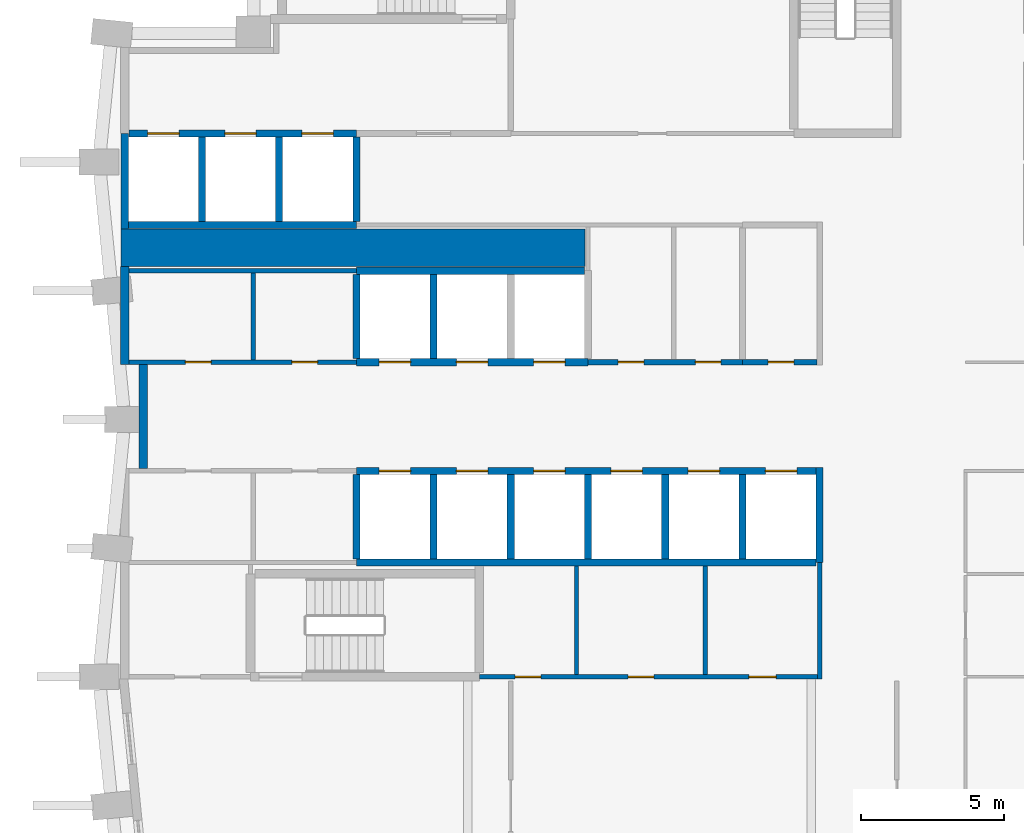
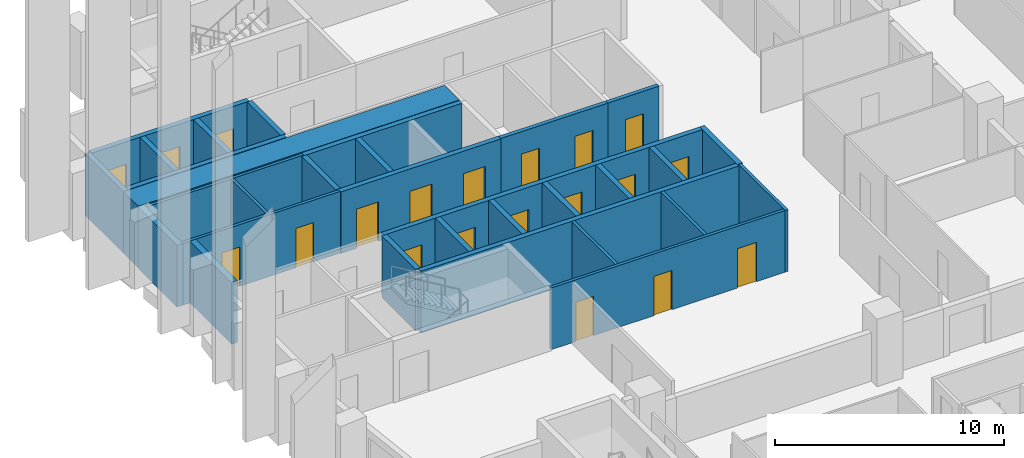
# One storey, part 6 of 13: 31 walls, 20 doors, 20 openings.
"""IFC4 building model written with IfcOpenShell, lengths in metres."""

from ifc_helpers import new_model, si_unit, direction, frame, frame_2d, origin, place, context, subcontext, project, spatial, rectangle, extrude, material, layer, layer_set, type_object, element, fill, save


model = new_model("IFC4")

# Units and contexts
model_context = context("Model", 3, precision=1e-05, world=origin(), true_north=direction((0.0, 1.0)))
body_context = subcontext(model_context, "Body", "Model", "MODEL_VIEW")
ifc_project = project(units=[si_unit("LENGTHUNIT", "METRE"), si_unit("AREAUNIT", "SQUARE_METRE"), si_unit("VOLUMEUNIT", "CUBIC_METRE"), si_unit("PLANEANGLEUNIT", "RADIAN"), si_unit("MASSUNIT", "GRAM", prefix="KILO")], contexts=[model_context])

# Site, building, storey
site_placement = place(None, origin())
site = spatial("IfcSite", under=ifc_project, at=site_placement, CompositionType="ELEMENT")
building_placement = place(site_placement, origin())
building = spatial("IfcBuilding", under=site, at=building_placement, Name="Brondeck Convention Tower", CompositionType="ELEMENT")
storey_placement = place(building_placement, frame((0.0, 0.0, 37.5)))
storey = spatial("IfcBuildingStorey", under=building, at=storey_placement, Name="L06", CompositionType="ELEMENT", Elevation=37.5)

# Wall, openings, doors
ifc_material_1 = material(Name="Concrete C80/95", Category="concrete")
ifc_layer_1 = layer(ifc_material_1, 0.14990234375)
ifc_layer_set_1 = layer_set([ifc_layer_1], Name="Core beam-seat wall 150 Concrete C80/95")
wall_type_1 = type_object("IfcWallType", Name="Core beam-seat wall 150 Concrete C80/95", PredefinedType="SHEAR", material=ifc_layer_set_1)
wall_1_placement = place(storey_placement, frame((12.39990234375, 36.0, 0.0), z_axis=(0.0, 0.0, 1.0), x_axis=(1.0, 0.0, 0.0)))
wall_1 = element("IfcWall", 1, at=wall_1_placement, inside=storey, type_object=wall_type_1, Name="L06 core wall", PredefinedType="SHEAR", context=body_context, shape_type="SweptSolid", body=[
    extrude(rectangle(XDim=11.8251953125, YDim=0.14990234375, at=frame_2d((5.91259765625, 0.0))), origin(), (0.0, 0.0, 1.0), 3.300048828125),
])
opening_1_placement = place(wall_1_placement, frame((1.25, 0.0, 0.0)))
opening_1 = element("IfcOpeningElement", 2, at=opening_1_placement, cuts=wall_1, Name="Opening C08-03", PredefinedType="OPENING", context=body_context, shape_type="SweptSolid", body=[
    extrude(rectangle(XDim=0.89990234375, YDim=2.10009765625, at=frame_2d((0.449951171875, 1.050048828125))), frame((0.0, 0.0849609375, 0.0), z_axis=(0.0, -1.0, 0.0), x_axis=(1.0, 0.0, 0.0)), (0.0, 0.0, 1.0), 0.169921875),
])
opening_2_placement = place(wall_1_placement, frame((5.199951171875, 0.0, 0.0)))
opening_2 = element("IfcOpeningElement", 3, at=opening_2_placement, cuts=wall_1, Name="Opening C08-04", PredefinedType="OPENING", context=body_context, shape_type="SweptSolid", body=[
    extrude(rectangle(XDim=0.89990234375, YDim=2.10009765625, at=frame_2d((0.449951171875, 1.050048828125))), frame((0.0, 0.0849609375, 0.0), z_axis=(0.0, -1.0, 0.0), x_axis=(1.0, 0.0, 0.0)), (0.0, 0.0, 1.0), 0.169921875),
])
opening_3_placement = place(wall_1_placement, frame((9.425048828125, 0.0, 0.0)))
opening_3 = element("IfcOpeningElement", 4, at=opening_3_placement, cuts=wall_1, Name="Opening C08-05", PredefinedType="OPENING", context=body_context, shape_type="SweptSolid", body=[
    extrude(rectangle(XDim=0.949951171875, YDim=2.10009765625, at=frame_2d((0.47509765625, 1.050048828125))), frame((0.0, 0.0849609375, 0.0), z_axis=(0.0, -1.0, 0.0), x_axis=(1.0, 0.0, 0.0)), (0.0, 0.0, 1.0), 0.169921875),
])
ifc_material_2 = material(Name="Steel fire door", Category="steel")
door_type_1 = type_object("IfcDoorType", Name="Room door 900x2100 EI 60", OperationType="NOTDEFINED", PredefinedType="DOOR", material=ifc_material_2)
door_1_placement = place(opening_1_placement, origin())
door_1 = element("IfcDoor", 5, at=door_1_placement, inside=storey, type_object=door_type_1, Name="L06 Room door FR-1", OperationType="SINGLE_SWING_RIGHT", OverallHeight=2.10009765625, OverallWidth=0.89990234375, PredefinedType="DOOR", context=body_context, shape_type="SweptSolid", body=[
    extrude(rectangle(XDim=0.89990234375, YDim=2.10009765625, at=frame_2d((0.449951171875, 1.050048828125))), frame((0.0, 0.02490234375, 0.0), z_axis=(0.0, -1.0, 0.0), x_axis=(1.0, 0.0, 0.0)), (0.0, 0.0, 1.0), 0.050048828125),
])
fill(opening_1, door_1)
door_2_placement = place(opening_2_placement, origin())
door_2 = element("IfcDoor", 6, at=door_2_placement, inside=storey, type_object=door_type_1, Name="L06 Room door FR-2", OperationType="SINGLE_SWING_LEFT", OverallHeight=2.10009765625, OverallWidth=0.89990234375, PredefinedType="DOOR", context=body_context, shape_type="SweptSolid", body=[
    extrude(rectangle(XDim=0.89990234375, YDim=2.10009765625, at=frame_2d((0.449951171875, 1.050048828125))), frame((0.0, 0.02490234375, 0.0), z_axis=(0.0, -1.0, 0.0), x_axis=(1.0, 0.0, 0.0)), (0.0, 0.0, 1.0), 0.050048828125),
])
fill(opening_2, door_2)
door_type_2 = type_object("IfcDoorType", Name="Room door 950x2100 EI 60", OperationType="NOTDEFINED", PredefinedType="DOOR", material=ifc_material_2)
door_3_placement = place(opening_3_placement, origin())
door_3 = element("IfcDoor", 7, at=door_3_placement, inside=storey, type_object=door_type_2, Name="L06 Room door FR-3", OperationType="SINGLE_SWING_RIGHT", OverallHeight=2.10009765625, OverallWidth=0.949951171875, PredefinedType="DOOR", context=body_context, shape_type="SweptSolid", body=[
    extrude(rectangle(XDim=0.949951171875, YDim=2.10009765625, at=frame_2d((0.47509765625, 1.050048828125))), frame((0.0, 0.02490234375, 0.0), z_axis=(0.0, -1.0, 0.0), x_axis=(1.0, 0.0, 0.0)), (0.0, 0.0, 1.0), 0.050048828125),
])
fill(opening_3, door_3)

# Walls
wall_2_placement = place(storey_placement, frame((24.300048828125, 35.925048828125, 0.0), z_axis=(0.0, 0.0, 1.0), x_axis=(0.0, 1.0, 0.0)))
element("IfcWall", 8, at=wall_2_placement, inside=storey, type_object=wall_type_1, Name="L06 core wall", PredefinedType="SHEAR", context=body_context, shape_type="SweptSolid", body=[
    extrude(rectangle(XDim=4.074951171875, YDim=0.14990234375, at=frame_2d((2.03759765625, 0.0))), origin(), (0.0, 0.0, 1.0), 3.300048828125),
])
ifc_layer_2 = layer(ifc_material_1, 0.300048828125)
ifc_layer_set_2 = layer_set([ifc_layer_2], Name="Core outer wall 300 Concrete C80/95")
wall_type_2 = type_object("IfcWallType", Name="Core outer wall 300 Concrete C80/95", PredefinedType="SHEAR", material=ifc_layer_set_2)
wall_3_placement = place(storey_placement, frame((0.0, 46.925048828125, 0.0), z_axis=(0.0, 0.0, 1.0), x_axis=(0.0, 1.0, 0.0)))
element("IfcWall", 9, at=wall_3_placement, inside=storey, type_object=wall_type_2, Name="L06 core wall", PredefinedType="SHEAR", context=body_context, shape_type="SweptSolid", body=[
    extrude(rectangle(XDim=3.425048828125, YDim=0.300048828125, at=frame_2d((1.71240234375, 0.0))), origin(), (0.0, 0.0, 1.0), 3.300048828125),
])
wall_4_placement = place(storey_placement, frame((0.64990234375, 43.27490234375, 0.0), z_axis=(0.0, 0.0, 1.0), x_axis=(0.0, 1.0, 0.0)))
element("IfcWall", 10, at=wall_4_placement, inside=storey, type_object=wall_type_2, Name="L06 core wall", PredefinedType="SHEAR", context=body_context, shape_type="SweptSolid", body=[
    extrude(rectangle(XDim=3.650146484375, YDim=0.300048828125, at=frame_2d((1.8251953125, 0.0))), origin(), (0.0, 0.0, 1.0), 3.300048828125),
])

# Wall, openings, doors
ifc_material_3 = material(Name="Fire-rated gypsum board partition")
ifc_layer_3 = layer(ifc_material_3, 0.14990234375)
ifc_layer_set_3 = layer_set([ifc_layer_3], Name="Core partition 150 EI 60")
wall_type_3 = type_object("IfcWallType", Name="Core partition 150 EI 60", PredefinedType="PARTITIONING", material=ifc_layer_set_3)
wall_5_placement = place(storey_placement, frame((0.14990234375, 47.0, 0.0), z_axis=(0.0, 0.0, 1.0), x_axis=(1.0, 0.0, 0.0)))
wall_5 = element("IfcWall", 11, at=wall_5_placement, inside=storey, type_object=wall_type_3, Name="L06 core wall", PredefinedType="PARTITIONING", context=body_context, shape_type="SweptSolid", body=[
    extrude(rectangle(XDim=7.9501953125, YDim=0.14990234375, at=frame_2d((3.97509765625, 0.0))), origin(), (0.0, 0.0, 1.0), 3.300048828125),
])
opening_4_placement = place(wall_5_placement, frame((1.97509765625, 0.0, 0.0)))
opening_4 = element("IfcOpeningElement", 12, at=opening_4_placement, cuts=wall_5, Name="Opening C08-07", PredefinedType="OPENING", context=body_context, shape_type="SweptSolid", body=[
    extrude(rectangle(XDim=0.89990234375, YDim=2.10009765625, at=frame_2d((0.449951171875, 1.050048828125))), frame((0.0, 0.0849609375, 0.0), z_axis=(0.0, -1.0, 0.0), x_axis=(1.0, 0.0, 0.0)), (0.0, 0.0, 1.0), 0.169921875),
])
opening_5_placement = place(wall_5_placement, frame((5.699951171875, 0.0, 0.0)))
opening_5 = element("IfcOpeningElement", 13, at=opening_5_placement, cuts=wall_5, Name="Opening C08-08", PredefinedType="OPENING", context=body_context, shape_type="SweptSolid", body=[
    extrude(rectangle(XDim=0.89990234375, YDim=2.10009765625, at=frame_2d((0.449951171875, 1.050048828125))), frame((0.0, 0.0849609375, 0.0), z_axis=(0.0, -1.0, 0.0), x_axis=(1.0, 0.0, 0.0)), (0.0, 0.0, 1.0), 0.169921875),
])
door_4_placement = place(opening_4_placement, origin())
door_4 = element("IfcDoor", 14, at=door_4_placement, inside=storey, type_object=door_type_1, Name="L06 Room door FZ-N-0-1", OperationType="SINGLE_SWING_RIGHT", OverallHeight=2.10009765625, OverallWidth=0.89990234375, PredefinedType="DOOR", context=body_context, shape_type="SweptSolid", body=[
    extrude(rectangle(XDim=0.89990234375, YDim=2.10009765625, at=frame_2d((0.449951171875, 1.050048828125))), frame((0.0, 0.02490234375, 0.0), z_axis=(0.0, -1.0, 0.0), x_axis=(1.0, 0.0, 0.0)), (0.0, 0.0, 1.0), 0.050048828125),
])
fill(opening_4, door_4)
door_5_placement = place(opening_5_placement, origin())
door_5 = element("IfcDoor", 15, at=door_5_placement, inside=storey, type_object=door_type_1, Name="L06 Room door FZ-N-0-2", OperationType="SINGLE_SWING_LEFT", OverallHeight=2.10009765625, OverallWidth=0.89990234375, PredefinedType="DOOR", context=body_context, shape_type="SweptSolid", body=[
    extrude(rectangle(XDim=0.89990234375, YDim=2.10009765625, at=frame_2d((0.449951171875, 1.050048828125))), frame((0.0, 0.02490234375, 0.0), z_axis=(0.0, -1.0, 0.0), x_axis=(1.0, 0.0, 0.0)), (0.0, 0.0, 1.0), 0.050048828125),
])
fill(opening_5, door_5)

# Walls
wall_6_placement = place(storey_placement, frame((0.14990234375, 50.199951171875, 0.0), z_axis=(0.0, 0.0, 1.0), x_axis=(1.0, 0.0, 0.0)))
element("IfcWall", 16, at=wall_6_placement, inside=storey, type_object=wall_type_3, Name="L06 core wall", PredefinedType="PARTITIONING", context=body_context, shape_type="SweptSolid", body=[
    extrude(rectangle(XDim=7.9501953125, YDim=0.14990234375, at=frame_2d((3.97509765625, 0.0))), origin(), (0.0, 0.0, 1.0), 3.300048828125),
])
wall_7_placement = place(storey_placement, frame((4.5, 47.074951171875, 0.0), z_axis=(0.0, 0.0, 1.0), x_axis=(0.0, 1.0, 0.0)))
element("IfcWall", 17, at=wall_7_placement, inside=storey, type_object=wall_type_3, Name="L06 core wall", PredefinedType="PARTITIONING", context=body_context, shape_type="SweptSolid", body=[
    extrude(rectangle(XDim=3.050048828125, YDim=0.14990234375, at=frame_2d((1.52490234375, 0.0))), origin(), (0.0, 0.0, 1.0), 3.300048828125),
])
for number, where, z_axis, x_axis, name in (
    (18, (15.800048828125, 36.074951171875, 0.0), (0.0, 0.0, 1.0), (0.0, 1.0, 0.0), "L06 core wall"),
    (19, (20.300048828125, 36.074951171875, 0.0), (0.0, 0.0, 1.0), (0.0, 1.0, 0.0), "L06 core wall"),
):
    element("IfcWall", number, at=place(storey_placement, frame(where, z_axis=z_axis, x_axis=x_axis)), inside=storey, type_object=wall_type_3, Name=name, PredefinedType="PARTITIONING", context=body_context, shape_type="SweptSolid", body=[
        extrude(rectangle(XDim=3.800048828125, YDim=0.14990234375, at=frame_2d((1.89990234375, 0.0))), origin(), (0.0, 0.0, 1.0), 3.300048828125),
    ])
ifc_layer_4 = layer(ifc_material_1, 1.300048828125)
ifc_layer_set_4 = layer_set([ifc_layer_4], Name="Core shear wall 1300 Concrete C80/95")
wall_type_4 = type_object("IfcWallType", Name="Core shear wall 1300 Concrete C80/95", PredefinedType="SHEAR", material=ifc_layer_set_4)
wall_8_placement = place(storey_placement, frame((-0.125, 51.0, 0.0), z_axis=(0.0, 0.0, 1.0), x_axis=(1.0, 0.0, 0.0)))
element("IfcWall", 20, at=wall_8_placement, inside=storey, type_object=wall_type_4, Name="L06 core wall", PredefinedType="SHEAR", context=body_context, shape_type="SweptSolid", body=[
    extrude(rectangle(XDim=16.22509765625, YDim=1.300048828125, at=frame_2d((8.112548828125, 0.0))), origin(), (0.0, 0.0, 1.0), 3.300048828125),
])

# Wall, openings, doors
ifc_layer_5 = layer(ifc_material_3, 0.199951171875)
ifc_layer_set_5 = layer_set([ifc_layer_5], Name="Lift lobby wall 200 EI 60")
wall_type_5 = type_object("IfcWallType", Name="Lift lobby wall 200 EI 60", PredefinedType="PARTITIONING", material=ifc_layer_set_5)
wall_9_placement = place(storey_placement, frame((16.199951171875, 47.0, 0.0), z_axis=(0.0, 0.0, 1.0), x_axis=(1.0, 0.0, 0.0)))
wall_9 = element("IfcWall", 21, at=wall_9_placement, inside=storey, type_object=wall_type_5, Name="L06 core wall", PredefinedType="PARTITIONING", context=body_context, shape_type="SweptSolid", body=[
    extrude(rectangle(XDim=5.400146484375, YDim=0.199951171875, at=frame_2d((2.7001953125, 0.0))), origin(), (0.0, 0.0, 1.0), 3.300048828125),
])
opening_6_placement = place(wall_9_placement, frame((1.050048828125, 0.0, 0.0)))
opening_6 = element("IfcOpeningElement", 22, at=opening_6_placement, cuts=wall_9, Name="Opening C08-09", PredefinedType="OPENING", context=body_context, shape_type="SweptSolid", body=[
    extrude(rectangle(XDim=0.89990234375, YDim=2.10009765625, at=frame_2d((0.449951171875, 1.050048828125))), frame((0.0, 0.10986328125, 0.0), z_axis=(0.0, -1.0, 0.0), x_axis=(1.0, 0.0, 0.0)), (0.0, 0.0, 1.0), 0.219970703125),
])
opening_7_placement = place(wall_9_placement, frame((3.75, 0.0, 0.0)))
opening_7 = element("IfcOpeningElement", 23, at=opening_7_placement, cuts=wall_9, Name="Opening C08-10", PredefinedType="OPENING", context=body_context, shape_type="SweptSolid", body=[
    extrude(rectangle(XDim=0.89990234375, YDim=2.10009765625, at=frame_2d((0.449951171875, 1.050048828125))), frame((0.0, 0.10986328125, 0.0), z_axis=(0.0, -1.0, 0.0), x_axis=(1.0, 0.0, 0.0)), (0.0, 0.0, 1.0), 0.219970703125),
])
door_6_placement = place(opening_6_placement, origin())
door_6 = element("IfcDoor", 24, at=door_6_placement, inside=storey, type_object=door_type_1, Name="L06 Room door FZ-N-16.2-1", OperationType="SINGLE_SWING_LEFT", OverallHeight=2.10009765625, OverallWidth=0.89990234375, PredefinedType="DOOR", context=body_context, shape_type="SweptSolid", body=[
    extrude(rectangle(XDim=0.89990234375, YDim=2.10009765625, at=frame_2d((0.449951171875, 1.050048828125))), frame((0.0, 0.02490234375, 0.0), z_axis=(0.0, -1.0, 0.0), x_axis=(1.0, 0.0, 0.0)), (0.0, 0.0, 1.0), 0.050048828125),
])
fill(opening_6, door_6)
door_7_placement = place(opening_7_placement, origin())
door_7 = element("IfcDoor", 25, at=door_7_placement, inside=storey, type_object=door_type_1, Name="L06 Room door FZ-N-16.2-2", OperationType="SINGLE_SWING_RIGHT", OverallHeight=2.10009765625, OverallWidth=0.89990234375, PredefinedType="DOOR", context=body_context, shape_type="SweptSolid", body=[
    extrude(rectangle(XDim=0.89990234375, YDim=2.10009765625, at=frame_2d((0.449951171875, 1.050048828125))), frame((0.0, 0.02490234375, 0.0), z_axis=(0.0, -1.0, 0.0), x_axis=(1.0, 0.0, 0.0)), (0.0, 0.0, 1.0), 0.050048828125),
])
fill(opening_7, door_7)

# Wall
ifc_layer_6 = layer(ifc_material_1, 0.25)
ifc_layer_set_6 = layer_set([ifc_layer_6], Name="Lift shaft wall 250 Concrete C80/95")
wall_type_6 = type_object("IfcWallType", Name="Lift shaft wall 250 Concrete C80/95", PredefinedType="SHEAR", material=ifc_layer_set_6)
wall_10_placement = place(storey_placement, frame((8.10009765625, 40.0, 0.0), z_axis=(0.0, 0.0, 1.0), x_axis=(1.0, 0.0, 0.0)))
element("IfcWall", 26, at=wall_10_placement, inside=storey, type_object=wall_type_6, Name="L06 core wall", PredefinedType="SHEAR", context=body_context, shape_type="SweptSolid", body=[
    extrude(rectangle(XDim=16.074951171875, YDim=0.25, at=frame_2d((8.03759765625, 0.0))), origin(), (0.0, 0.0, 1.0), 3.300048828125),
])

# Wall, openings, doors
wall_11_placement = place(storey_placement, frame((8.10009765625, 43.199951171875, 0.0), z_axis=(0.0, 0.0, 1.0), x_axis=(1.0, 0.0, 0.0)))
wall_11 = element("IfcWall", 27, at=wall_11_placement, inside=storey, type_object=wall_type_6, Name="L06 core wall", PredefinedType="SHEAR", context=body_context, shape_type="SweptSolid", body=[
    extrude(rectangle(XDim=16.074951171875, YDim=0.25, at=frame_2d((8.03759765625, 0.0))), origin(), (0.0, 0.0, 1.0), 3.300048828125),
])
opening_8_placement = place(wall_11_placement, frame((14.300048828125, 0.0, 0.0)))
opening_8 = element("IfcOpeningElement", 28, at=opening_8_placement, cuts=wall_11, Name="Opening C08-24", PredefinedType="OPENING", context=body_context, shape_type="SweptSolid", body=[
    extrude(rectangle(XDim=1.10009765625, YDim=2.10009765625, at=frame_2d((0.550048828125, 1.050048828125))), frame((0.0, 0.135009765625, 0.0), z_axis=(0.0, -1.0, 0.0), x_axis=(1.0, 0.0, 0.0)), (0.0, 0.0, 1.0), 0.27001953125),
])
opening_9_placement = place(wall_11_placement, frame((0.800048828125, 0.0, 0.0)))
opening_9 = element("IfcOpeningElement", 29, at=opening_9_placement, cuts=wall_11, Name="Opening C08-25", PredefinedType="OPENING", context=body_context, shape_type="SweptSolid", body=[
    extrude(rectangle(XDim=1.10009765625, YDim=2.10009765625, at=frame_2d((0.550048828125, 1.050048828125))), frame((0.0, 0.135009765625, 0.0), z_axis=(0.0, -1.0, 0.0), x_axis=(1.0, 0.0, 0.0)), (0.0, 0.0, 1.0), 0.27001953125),
])
opening_10_placement = place(wall_11_placement, frame((3.5, 0.0, 0.0)))
opening_10 = element("IfcOpeningElement", 30, at=opening_10_placement, cuts=wall_11, Name="Opening C08-26", PredefinedType="OPENING", context=body_context, shape_type="SweptSolid", body=[
    extrude(rectangle(XDim=1.10009765625, YDim=2.10009765625, at=frame_2d((0.550048828125, 1.050048828125))), frame((0.0, 0.135009765625, 0.0), z_axis=(0.0, -1.0, 0.0), x_axis=(1.0, 0.0, 0.0)), (0.0, 0.0, 1.0), 0.27001953125),
])
opening_11_placement = place(wall_11_placement, frame((6.199951171875, 0.0, 0.0)))
opening_11 = element("IfcOpeningElement", 31, at=opening_11_placement, cuts=wall_11, Name="Opening C08-27", PredefinedType="OPENING", context=body_context, shape_type="SweptSolid", body=[
    extrude(rectangle(XDim=1.10009765625, YDim=2.10009765625, at=frame_2d((0.550048828125, 1.050048828125))), frame((0.0, 0.135009765625, 0.0), z_axis=(0.0, -1.0, 0.0), x_axis=(1.0, 0.0, 0.0)), (0.0, 0.0, 1.0), 0.27001953125),
])
opening_12_placement = place(wall_11_placement, frame((8.89990234375, 0.0, 0.0)))
opening_12 = element("IfcOpeningElement", 32, at=opening_12_placement, cuts=wall_11, Name="Opening C08-31", PredefinedType="OPENING", context=body_context, shape_type="SweptSolid", body=[
    extrude(rectangle(XDim=1.10009765625, YDim=2.10009765625, at=frame_2d((0.550048828125, 1.050048828125))), frame((0.0, 0.135009765625, 0.0), z_axis=(0.0, -1.0, 0.0), x_axis=(1.0, 0.0, 0.0)), (0.0, 0.0, 1.0), 0.27001953125),
])
opening_13_placement = place(wall_11_placement, frame((11.60009765625, 0.0, 0.0)))
opening_13 = element("IfcOpeningElement", 33, at=opening_13_placement, cuts=wall_11, Name="Opening C08-32", PredefinedType="OPENING", context=body_context, shape_type="SweptSolid", body=[
    extrude(rectangle(XDim=1.10009765625, YDim=2.10009765625, at=frame_2d((0.550048828125, 1.050048828125))), frame((0.0, 0.135009765625, 0.0), z_axis=(0.0, -1.0, 0.0), x_axis=(1.0, 0.0, 0.0)), (0.0, 0.0, 1.0), 0.27001953125),
])
ifc_material_4 = material(Name="Stainless steel lift door", Category="steel")
door_type_3 = type_object("IfcDoorType", Name="Lift landing door 1100x2100 EI 180", OperationType="DOUBLE_DOOR_SLIDING", PredefinedType="DOOR", material=ifc_material_4)
door_8_placement = place(opening_8_placement, origin())
door_8 = element("IfcDoor", 34, at=door_8_placement, inside=storey, type_object=door_type_3, Name="L06 Lift landing door HS1", OperationType="DOUBLE_DOOR_SLIDING", OverallHeight=2.10009765625, OverallWidth=1.10009765625, PredefinedType="DOOR", context=body_context, shape_type="SweptSolid", body=[
    extrude(rectangle(XDim=1.10009765625, YDim=2.10009765625, at=frame_2d((0.550048828125, 1.050048828125))), frame((0.0, 0.02490234375, 0.0), z_axis=(0.0, -1.0, 0.0), x_axis=(1.0, 0.0, 0.0)), (0.0, 0.0, 1.0), 0.050048828125),
])
fill(opening_8, door_8)
door_9_placement = place(opening_9_placement, origin())
door_9 = element("IfcDoor", 35, at=door_9_placement, inside=storey, type_object=door_type_3, Name="L06 Lift landing door LR1", OperationType="DOUBLE_DOOR_SLIDING", OverallHeight=2.10009765625, OverallWidth=1.10009765625, PredefinedType="DOOR", context=body_context, shape_type="SweptSolid", body=[
    extrude(rectangle(XDim=1.10009765625, YDim=2.10009765625, at=frame_2d((0.550048828125, 1.050048828125))), frame((0.0, 0.02490234375, 0.0), z_axis=(0.0, -1.0, 0.0), x_axis=(1.0, 0.0, 0.0)), (0.0, 0.0, 1.0), 0.050048828125),
])
fill(opening_9, door_9)
door_10_placement = place(opening_10_placement, origin())
door_10 = element("IfcDoor", 36, at=door_10_placement, inside=storey, type_object=door_type_3, Name="L06 Lift landing door LR2", OperationType="DOUBLE_DOOR_SLIDING", OverallHeight=2.10009765625, OverallWidth=1.10009765625, PredefinedType="DOOR", context=body_context, shape_type="SweptSolid", body=[
    extrude(rectangle(XDim=1.10009765625, YDim=2.10009765625, at=frame_2d((0.550048828125, 1.050048828125))), frame((0.0, 0.02490234375, 0.0), z_axis=(0.0, -1.0, 0.0), x_axis=(1.0, 0.0, 0.0)), (0.0, 0.0, 1.0), 0.050048828125),
])
fill(opening_10, door_10)
door_11_placement = place(opening_11_placement, origin())
door_11 = element("IfcDoor", 37, at=door_11_placement, inside=storey, type_object=door_type_3, Name="L06 Lift landing door LR3", OperationType="DOUBLE_DOOR_SLIDING", OverallHeight=2.10009765625, OverallWidth=1.10009765625, PredefinedType="DOOR", context=body_context, shape_type="SweptSolid", body=[
    extrude(rectangle(XDim=1.10009765625, YDim=2.10009765625, at=frame_2d((0.550048828125, 1.050048828125))), frame((0.0, 0.02490234375, 0.0), z_axis=(0.0, -1.0, 0.0), x_axis=(1.0, 0.0, 0.0)), (0.0, 0.0, 1.0), 0.050048828125),
])
fill(opening_11, door_11)
door_12_placement = place(opening_12_placement, origin())
door_12 = element("IfcDoor", 38, at=door_12_placement, inside=storey, type_object=door_type_3, Name="L06 Lift landing door SH1", OperationType="DOUBLE_DOOR_SLIDING", OverallHeight=2.10009765625, OverallWidth=1.10009765625, PredefinedType="DOOR", context=body_context, shape_type="SweptSolid", body=[
    extrude(rectangle(XDim=1.10009765625, YDim=2.10009765625, at=frame_2d((0.550048828125, 1.050048828125))), frame((0.0, 0.02490234375, 0.0), z_axis=(0.0, -1.0, 0.0), x_axis=(1.0, 0.0, 0.0)), (0.0, 0.0, 1.0), 0.050048828125),
])
fill(opening_12, door_12)
door_13_placement = place(opening_13_placement, origin())
door_13 = element("IfcDoor", 39, at=door_13_placement, inside=storey, type_object=door_type_3, Name="L06 Lift landing door SH2", OperationType="DOUBLE_DOOR_SLIDING", OverallHeight=2.10009765625, OverallWidth=1.10009765625, PredefinedType="DOOR", context=body_context, shape_type="SweptSolid", body=[
    extrude(rectangle(XDim=1.10009765625, YDim=2.10009765625, at=frame_2d((0.550048828125, 1.050048828125))), frame((0.0, 0.02490234375, 0.0), z_axis=(0.0, -1.0, 0.0), x_axis=(1.0, 0.0, 0.0)), (0.0, 0.0, 1.0), 0.050048828125),
])
fill(opening_13, door_13)

wall_12_placement = place(storey_placement, frame((8.10009765625, 47.0, 0.0), z_axis=(0.0, 0.0, 1.0), x_axis=(1.0, 0.0, 0.0)))
wall_12 = element("IfcWall", 40, at=wall_12_placement, inside=storey, type_object=wall_type_6, Name="L06 core wall", PredefinedType="SHEAR", context=body_context, shape_type="SweptSolid", body=[
    extrude(rectangle(XDim=8.099853515625, YDim=0.25, at=frame_2d((4.0498046875, 0.0))), origin(), (0.0, 0.0, 1.0), 3.300048828125),
])
opening_14_placement = place(wall_12_placement, frame((0.800048828125, 0.0, 0.0)))
opening_14 = element("IfcOpeningElement", 41, at=opening_14_placement, cuts=wall_12, Name="Opening C08-28", PredefinedType="OPENING", context=body_context, shape_type="SweptSolid", body=[
    extrude(rectangle(XDim=1.10009765625, YDim=2.10009765625, at=frame_2d((0.550048828125, 1.050048828125))), frame((0.0, 0.135009765625, 0.0), z_axis=(0.0, -1.0, 0.0), x_axis=(1.0, 0.0, 0.0)), (0.0, 0.0, 1.0), 0.27001953125),
])
opening_15_placement = place(wall_12_placement, frame((3.5, 0.0, 0.0)))
opening_15 = element("IfcOpeningElement", 42, at=opening_15_placement, cuts=wall_12, Name="Opening C08-29", PredefinedType="OPENING", context=body_context, shape_type="SweptSolid", body=[
    extrude(rectangle(XDim=1.10009765625, YDim=2.10009765625, at=frame_2d((0.550048828125, 1.050048828125))), frame((0.0, 0.135009765625, 0.0), z_axis=(0.0, -1.0, 0.0), x_axis=(1.0, 0.0, 0.0)), (0.0, 0.0, 1.0), 0.27001953125),
])
opening_16_placement = place(wall_12_placement, frame((6.199951171875, 0.0, 0.0)))
opening_16 = element("IfcOpeningElement", 43, at=opening_16_placement, cuts=wall_12, Name="Opening C08-30", PredefinedType="OPENING", context=body_context, shape_type="SweptSolid", body=[
    extrude(rectangle(XDim=1.10009765625, YDim=2.10009765625, at=frame_2d((0.550048828125, 1.050048828125))), frame((0.0, 0.135009765625, 0.0), z_axis=(0.0, -1.0, 0.0), x_axis=(1.0, 0.0, 0.0)), (0.0, 0.0, 1.0), 0.27001953125),
])
door_14_placement = place(opening_14_placement, origin())
door_14 = element("IfcDoor", 44, at=door_14_placement, inside=storey, type_object=door_type_3, Name="L06 Lift landing door LR4", OperationType="DOUBLE_DOOR_SLIDING", OverallHeight=2.10009765625, OverallWidth=1.10009765625, PredefinedType="DOOR", context=body_context, shape_type="SweptSolid", body=[
    extrude(rectangle(XDim=1.10009765625, YDim=2.10009765625, at=frame_2d((0.550048828125, 1.050048828125))), frame((0.0, 0.02490234375, 0.0), z_axis=(0.0, -1.0, 0.0), x_axis=(1.0, 0.0, 0.0)), (0.0, 0.0, 1.0), 0.050048828125),
])
fill(opening_14, door_14)
door_15_placement = place(opening_15_placement, origin())
door_15 = element("IfcDoor", 45, at=door_15_placement, inside=storey, type_object=door_type_3, Name="L06 Lift landing door LR5", OperationType="DOUBLE_DOOR_SLIDING", OverallHeight=2.10009765625, OverallWidth=1.10009765625, PredefinedType="DOOR", context=body_context, shape_type="SweptSolid", body=[
    extrude(rectangle(XDim=1.10009765625, YDim=2.10009765625, at=frame_2d((0.550048828125, 1.050048828125))), frame((0.0, 0.02490234375, 0.0), z_axis=(0.0, -1.0, 0.0), x_axis=(1.0, 0.0, 0.0)), (0.0, 0.0, 1.0), 0.050048828125),
])
fill(opening_15, door_15)
door_16_placement = place(opening_16_placement, origin())
door_16 = element("IfcDoor", 46, at=door_16_placement, inside=storey, type_object=door_type_3, Name="L06 Lift landing door LR6", OperationType="DOUBLE_DOOR_SLIDING", OverallHeight=2.10009765625, OverallWidth=1.10009765625, PredefinedType="DOOR", context=body_context, shape_type="SweptSolid", body=[
    extrude(rectangle(XDim=1.10009765625, YDim=2.10009765625, at=frame_2d((0.550048828125, 1.050048828125))), frame((0.0, 0.02490234375, 0.0), z_axis=(0.0, -1.0, 0.0), x_axis=(1.0, 0.0, 0.0)), (0.0, 0.0, 1.0), 0.050048828125),
])
fill(opening_16, door_16)

# Walls
wall_13_placement = place(storey_placement, frame((8.10009765625, 50.199951171875, 0.0), z_axis=(0.0, 0.0, 1.0), x_axis=(1.0, 0.0, 0.0)))
element("IfcWall", 47, at=wall_13_placement, inside=storey, type_object=wall_type_6, Name="L06 core wall", PredefinedType="SHEAR", context=body_context, shape_type="SweptSolid", body=[
    extrude(rectangle(XDim=7.974853515625, YDim=0.25, at=frame_2d((3.9873046875, 0.0))), origin(), (0.0, 0.0, 1.0), 3.300048828125),
])
wall_14_placement = place(storey_placement, frame((0.125, 51.800048828125, 0.0), z_axis=(0.0, 0.0, 1.0), x_axis=(1.0, 0.0, 0.0)))
element("IfcWall", 48, at=wall_14_placement, inside=storey, type_object=wall_type_6, Name="L06 core wall", PredefinedType="SHEAR", context=body_context, shape_type="SweptSolid", body=[
    extrude(rectangle(XDim=7.97509765625, YDim=0.25, at=frame_2d((3.987548828125, 0.0))), origin(), (0.0, 0.0, 1.0), 3.300048828125),
])

# Wall, openings, doors
wall_15_placement = place(storey_placement, frame((0.14990234375, 55.0, 0.0), z_axis=(0.0, 0.0, 1.0), x_axis=(1.0, 0.0, 0.0)))
wall_15 = element("IfcWall", 49, at=wall_15_placement, inside=storey, type_object=wall_type_6, Name="L06 core wall", PredefinedType="SHEAR", context=body_context, shape_type="SweptSolid", body=[
    extrude(rectangle(XDim=7.9501953125, YDim=0.25, at=frame_2d((3.97509765625, 0.0))), origin(), (0.0, 0.0, 1.0), 3.300048828125),
])
opening_17_placement = place(wall_15_placement, frame((0.64990234375, 0.0, 0.0)))
opening_17 = element("IfcOpeningElement", 50, at=opening_17_placement, cuts=wall_15, Name="Opening C08-21", PredefinedType="OPENING", context=body_context, shape_type="SweptSolid", body=[
    extrude(rectangle(XDim=1.10009765625, YDim=2.10009765625, at=frame_2d((0.550048828125, 1.050048828125))), frame((0.0, 0.135009765625, 0.0), z_axis=(0.0, -1.0, 0.0), x_axis=(1.0, 0.0, 0.0)), (0.0, 0.0, 1.0), 0.27001953125),
])
opening_18_placement = place(wall_15_placement, frame((3.35009765625, 0.0, 0.0)))
opening_18 = element("IfcOpeningElement", 51, at=opening_18_placement, cuts=wall_15, Name="Opening C08-22", PredefinedType="OPENING", context=body_context, shape_type="SweptSolid", body=[
    extrude(rectangle(XDim=1.10009765625, YDim=2.10009765625, at=frame_2d((0.550048828125, 1.050048828125))), frame((0.0, 0.135009765625, 0.0), z_axis=(0.0, -1.0, 0.0), x_axis=(1.0, 0.0, 0.0)), (0.0, 0.0, 1.0), 0.27001953125),
])
opening_19_placement = place(wall_15_placement, frame((6.050048828125, 0.0, 0.0)))
opening_19 = element("IfcOpeningElement", 52, at=opening_19_placement, cuts=wall_15, Name="Opening C08-23", PredefinedType="OPENING", context=body_context, shape_type="SweptSolid", body=[
    extrude(rectangle(XDim=1.10009765625, YDim=2.10009765625, at=frame_2d((0.550048828125, 1.050048828125))), frame((0.0, 0.135009765625, 0.0), z_axis=(0.0, -1.0, 0.0), x_axis=(1.0, 0.0, 0.0)), (0.0, 0.0, 1.0), 0.27001953125),
])
door_17_placement = place(opening_17_placement, origin())
door_17 = element("IfcDoor", 53, at=door_17_placement, inside=storey, type_object=door_type_3, Name="L06 Lift landing door FF1", OperationType="DOUBLE_DOOR_SLIDING", OverallHeight=2.10009765625, OverallWidth=1.10009765625, PredefinedType="DOOR", context=body_context, shape_type="SweptSolid", body=[
    extrude(rectangle(XDim=1.10009765625, YDim=2.10009765625, at=frame_2d((0.550048828125, 1.050048828125))), frame((0.0, 0.02490234375, 0.0), z_axis=(0.0, -1.0, 0.0), x_axis=(1.0, 0.0, 0.0)), (0.0, 0.0, 1.0), 0.050048828125),
])
fill(opening_17, door_17)
door_18_placement = place(opening_18_placement, origin())
door_18 = element("IfcDoor", 54, at=door_18_placement, inside=storey, type_object=door_type_3, Name="L06 Lift landing door FF2", OperationType="DOUBLE_DOOR_SLIDING", OverallHeight=2.10009765625, OverallWidth=1.10009765625, PredefinedType="DOOR", context=body_context, shape_type="SweptSolid", body=[
    extrude(rectangle(XDim=1.10009765625, YDim=2.10009765625, at=frame_2d((0.550048828125, 1.050048828125))), frame((0.0, 0.02490234375, 0.0), z_axis=(0.0, -1.0, 0.0), x_axis=(1.0, 0.0, 0.0)), (0.0, 0.0, 1.0), 0.050048828125),
])
fill(opening_18, door_18)
door_19_placement = place(opening_19_placement, origin())
door_19 = element("IfcDoor", 55, at=door_19_placement, inside=storey, type_object=door_type_3, Name="L06 Lift landing door FF3", OperationType="DOUBLE_DOOR_SLIDING", OverallHeight=2.10009765625, OverallWidth=1.10009765625, PredefinedType="DOOR", context=body_context, shape_type="SweptSolid", body=[
    extrude(rectangle(XDim=1.10009765625, YDim=2.10009765625, at=frame_2d((0.550048828125, 1.050048828125))), frame((0.0, 0.02490234375, 0.0), z_axis=(0.0, -1.0, 0.0), x_axis=(1.0, 0.0, 0.0)), (0.0, 0.0, 1.0), 0.050048828125),
])
fill(opening_19, door_19)

# Walls
wall_16_placement = place(storey_placement, frame((0.0, 51.64990234375, 0.0), z_axis=(0.0, 0.0, 1.0), x_axis=(0.0, 1.0, 0.0)))
element("IfcWall", 56, at=wall_16_placement, inside=storey, type_object=wall_type_6, Name="L06 core wall", PredefinedType="SHEAR", context=body_context, shape_type="SweptSolid", body=[
    extrude(rectangle(XDim=3.35009765625, YDim=0.25, at=frame_2d((1.675048828125, 0.0))), origin(), (0.0, 0.0, 1.0), 3.300048828125),
])
for number, where, z_axis, x_axis, name in (
    (57, (2.699951171875, 51.925048828125, 0.0), (0.0, 0.0, 1.0), (0.0, 1.0, 0.0), "L06 core wall"),
    (58, (5.39990234375, 51.925048828125, 0.0), (0.0, 0.0, 1.0), (0.0, 1.0, 0.0), "L06 core wall"),
    (59, (8.10009765625, 40.125, 0.0), (0.0, 0.0, 1.0), (0.0, 1.0, 0.0), "L06 core wall"),
    (60, (8.10009765625, 47.125, 0.0), (0.0, 0.0, 1.0), (0.0, 1.0, 0.0), "L06 core wall"),
    (61, (8.10009765625, 51.925048828125, 0.0), (0.0, 0.0, 1.0), (0.0, 1.0, 0.0), "L06 core wall"),
    (62, (10.800048828125, 40.125, 0.0), (0.0, 0.0, 1.0), (0.0, 1.0, 0.0), "L06 core wall"),
    (63, (10.800048828125, 47.125, 0.0), (0.0, 0.0, 1.0), (0.0, 1.0, 0.0), "L06 core wall"),
    (64, (13.5, 40.125, 0.0), (0.0, 0.0, 1.0), (0.0, 1.0, 0.0), "L06 core wall"),
    (65, (16.199951171875, 40.125, 0.0), (0.0, 0.0, 1.0), (0.0, 1.0, 0.0), "L06 core wall"),
    (66, (18.89990234375, 40.125, 0.0), (0.0, 0.0, 1.0), (0.0, 1.0, 0.0), "L06 core wall"),
    (67, (21.60009765625, 40.125, 0.0), (0.0, 0.0, 1.0), (0.0, 1.0, 0.0), "L06 core wall"),
):
    element("IfcWall", number, at=place(storey_placement, frame(where, z_axis=z_axis, x_axis=x_axis)), inside=storey, type_object=wall_type_6, Name=name, PredefinedType="SHEAR", context=body_context, shape_type="SweptSolid", body=[
        extrude(rectangle(XDim=2.949951171875, YDim=0.25, at=frame_2d((1.47509765625, 0.0))), origin(), (0.0, 0.0, 1.0), 3.300048828125),
    ])
wall_17_placement = place(storey_placement, frame((24.300048828125, 40.0, 0.0), z_axis=(0.0, 0.0, 1.0), x_axis=(0.0, 1.0, 0.0)))
element("IfcWall", 68, at=wall_17_placement, inside=storey, type_object=wall_type_6, Name="L06 core wall", PredefinedType="SHEAR", context=body_context, shape_type="SweptSolid", body=[
    extrude(rectangle(XDim=3.324951171875, YDim=0.25, at=frame_2d((1.66259765625, 0.0))), origin(), (0.0, 0.0, 1.0), 3.300048828125),
])

# Wall, opening, door
ifc_layer_7 = layer(ifc_material_3, 0.199951171875)
ifc_layer_set_7 = layer_set([ifc_layer_7], Name="Riser wall 200 EI 120")
wall_type_7 = type_object("IfcWallType", Name="Riser wall 200 EI 120", PredefinedType="PARTITIONING", material=ifc_layer_set_7)
wall_18_placement = place(storey_placement, frame((21.60009765625, 47.0, 0.0), z_axis=(0.0, 0.0, 1.0), x_axis=(1.0, 0.0, 0.0)))
wall_18 = element("IfcWall", 69, at=wall_18_placement, inside=storey, type_object=wall_type_7, Name="L06 core wall", PredefinedType="PARTITIONING", context=body_context, shape_type="SweptSolid", body=[
    extrude(rectangle(XDim=2.599853515625, YDim=0.199951171875, at=frame_2d((1.2998046875, 0.0))), origin(), (0.0, 0.0, 1.0), 3.300048828125),
])
opening_20_placement = place(wall_18_placement, frame((0.89990234375, 0.0, 0.0)))
opening_20 = element("IfcOpeningElement", 70, at=opening_20_placement, cuts=wall_18, Name="Opening C08-02", PredefinedType="OPENING", context=body_context, shape_type="SweptSolid", body=[
    extrude(rectangle(XDim=0.89990234375, YDim=2.10009765625, at=frame_2d((0.449951171875, 1.050048828125))), frame((0.0, 0.10986328125, 0.0), z_axis=(0.0, -1.0, 0.0), x_axis=(1.0, 0.0, 0.0)), (0.0, 0.0, 1.0), 0.219970703125),
])
door_type_4 = type_object("IfcDoorType", Name="Riser door 900x2100 EI 120", OperationType="NOTDEFINED", PredefinedType="DOOR", material=ifc_material_2)
door_20_placement = place(opening_20_placement, origin())
door_20 = element("IfcDoor", 71, at=door_20_placement, inside=storey, type_object=door_type_4, Name="L06 Riser door EN-1", OperationType="SINGLE_SWING_LEFT", OverallHeight=2.10009765625, OverallWidth=0.89990234375, PredefinedType="DOOR", context=body_context, shape_type="SweptSolid", body=[
    extrude(rectangle(XDim=0.89990234375, YDim=2.10009765625, at=frame_2d((0.449951171875, 1.050048828125))), frame((0.0, 0.02490234375, 0.0), z_axis=(0.0, -1.0, 0.0), x_axis=(1.0, 0.0, 0.0)), (0.0, 0.0, 1.0), 0.050048828125),
])
fill(opening_20, door_20)

save(model, "model.ifc")
